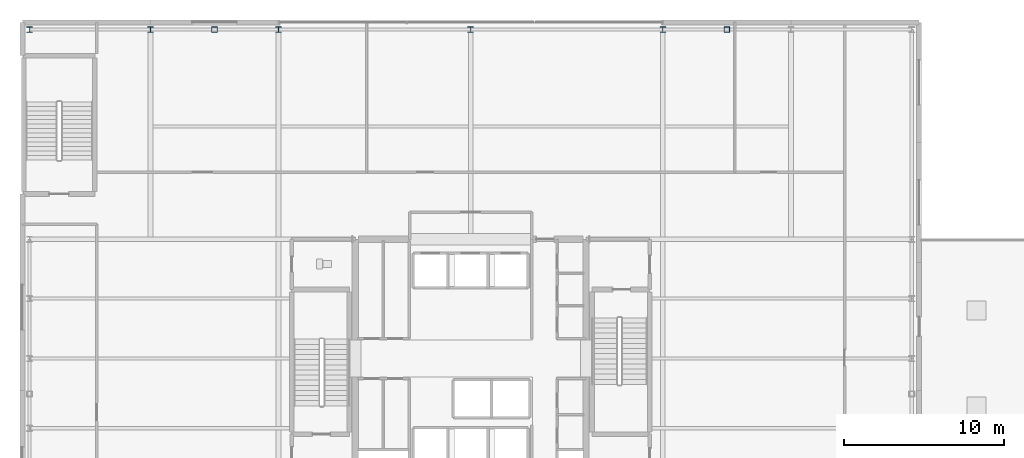
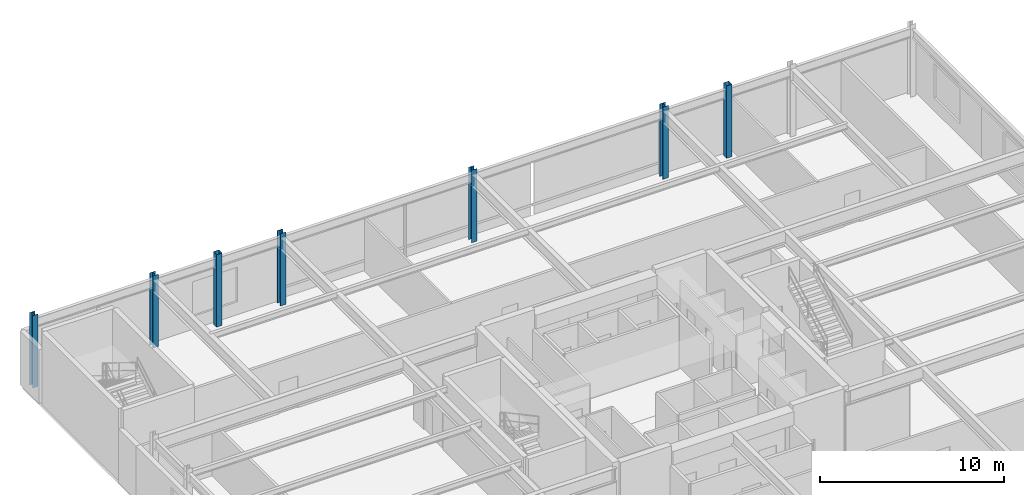
# One storey, part 3 of 22: 7 columns.
"""IFC4 building model written with IfcOpenShell, lengths in metres."""

from ifc_helpers import new_model, si_unit, direction, frame, origin, origin_2d, place, context, subcontext, project, spatial, hollow_rectangle, i_section, extrude, material, material_profile, profile_set, type_object, element, save


model = new_model("IFC4")

# Units and contexts
model_context = context("Model", 3, precision=1e-05, world=origin(), true_north=direction((0.0, 1.0)))
body_context = subcontext(model_context, "Body", "Model", "MODEL_VIEW")
ifc_project = project(units=[si_unit("LENGTHUNIT", "METRE"), si_unit("AREAUNIT", "SQUARE_METRE"), si_unit("VOLUMEUNIT", "CUBIC_METRE"), si_unit("PLANEANGLEUNIT", "RADIAN"), si_unit("MASSUNIT", "GRAM", prefix="KILO")], contexts=[model_context])

# Site, building, storey
site_placement = place(None, origin())
site = spatial("IfcSite", under=ifc_project, at=site_placement, CompositionType="ELEMENT")
building_placement = place(site_placement, origin())
building = spatial("IfcBuilding", under=site, at=building_placement, Name="Veldorina Hangang Commons", CompositionType="ELEMENT")
storey_placement = place(building_placement, frame((0.0, 0.0, 14.800048828125)))
storey = spatial("IfcBuildingStorey", under=building, at=storey_placement, Name="L03", CompositionType="ELEMENT", Elevation=14.800048828125)

# Columns
ifc_material_1 = material(Name="Steel SM420-TMC", Category="steel")
ifc_material_profile_1 = material_profile(ifc_material_1, i_section(OverallWidth=0.35009765625, OverallDepth=0.35009765625, WebThickness=0.011962890625, FlangeThickness=0.01904296875, FilletRadius=0.01611328125, at=origin_2d()), Name="H-350x350x12x19")
ifc_profile_set_1 = profile_set([ifc_material_profile_1], Name="Steel SM420-TMC")
column_type_1 = type_object("IfcColumnType", Name="COL-H350", PredefinedType="COLUMN", material=ifc_profile_set_1)
for number, where, z_axis, x_axis, name in (
    (1, (4.449951171875, 44.550048828125, 0.0), (0.0, 0.0, 1.0), (1.0, 0.0, 0.0), "L03 structural column N1"),
    (2, (12.0, 44.550048828125, 0.0), (0.0, 0.0, 1.0), (1.0, 0.0, 0.0), "L03 structural column N2"),
    (3, (20.0, 44.550048828125, 0.0), (0.0, 0.0, 1.0), (1.0, 0.0, 0.0), "L03 structural column N3"),
    (4, (32.0, 44.550048828125, 0.0), (0.0, 0.0, 1.0), (1.0, 0.0, 0.0), "L03 structural column N4"),
    (5, (44.0, 44.550048828125, 0.0), (0.0, 0.0, 1.0), (1.0, 0.0, 0.0), "L03 structural column N5"),
):
    element("IfcColumn", number, at=place(storey_placement, frame(where, z_axis=z_axis, x_axis=x_axis)), inside=storey, type_object=column_type_1, Name=name, PredefinedType="COLUMN", context=body_context, shape_type="SweptSolid", body=[
        extrude(i_section(OverallWidth=0.35009765625, OverallDepth=0.35009765625, WebThickness=0.011962890625, FlangeThickness=0.01904296875, FilletRadius=0.01611328125, at=origin_2d()), origin(), (0.0, 0.0, 1.0), 4.800048828125),
    ])
ifc_material_2 = material(Name="Steel SM355-TMC", Category="steel")
ifc_material_profile_2 = material_profile(ifc_material_2, hollow_rectangle(XDim=0.35009765625, YDim=0.35009765625, WallThickness=0.01611328125, at=origin_2d()), Name="SHS-350x350x16")
ifc_profile_set_2 = profile_set([ifc_material_profile_2], Name="Steel SM355-TMC")
column_type_2 = type_object("IfcColumnType", Name="COL-PIL-350", PredefinedType="PILASTER", material=ifc_profile_set_2)
for number, where, z_axis, x_axis, name in (
    (6, (16.0, 44.550048828125, 0.0), (0.0, 0.0, 1.0), (1.0, 0.0, 0.0), "L03 rationalist colonnade pilaster 1"),
    (7, (48.0, 44.550048828125, 0.0), (0.0, 0.0, 1.0), (1.0, 0.0, 0.0), "L03 rationalist colonnade pilaster 2"),
):
    element("IfcColumn", number, at=place(storey_placement, frame(where, z_axis=z_axis, x_axis=x_axis)), inside=storey, type_object=column_type_2, Name=name, PredefinedType="PILASTER", context=body_context, shape_type="SweptSolid", body=[
        extrude(hollow_rectangle(XDim=0.35009765625, YDim=0.35009765625, WallThickness=0.01611328125, at=origin_2d()), origin(), (0.0, 0.0, 1.0), 4.800048828125),
    ])

save(model, "model.ifc")
